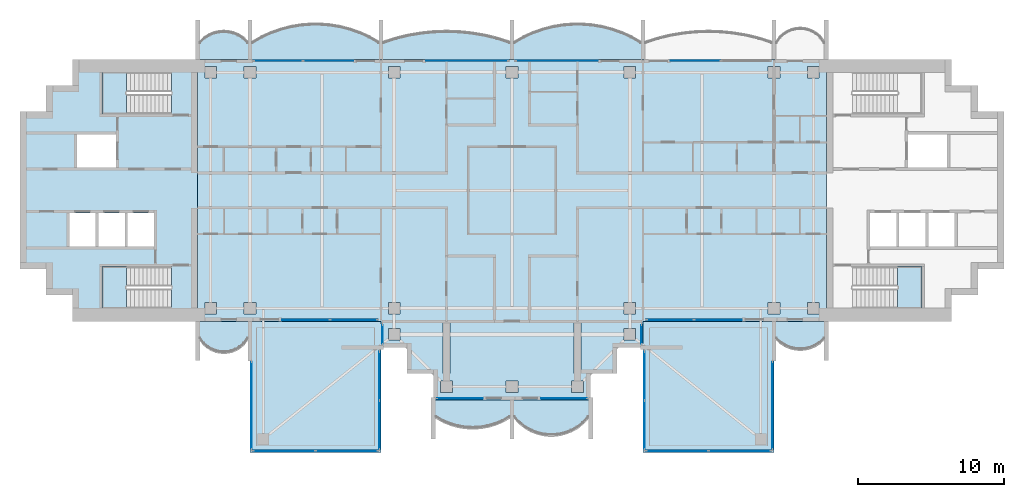
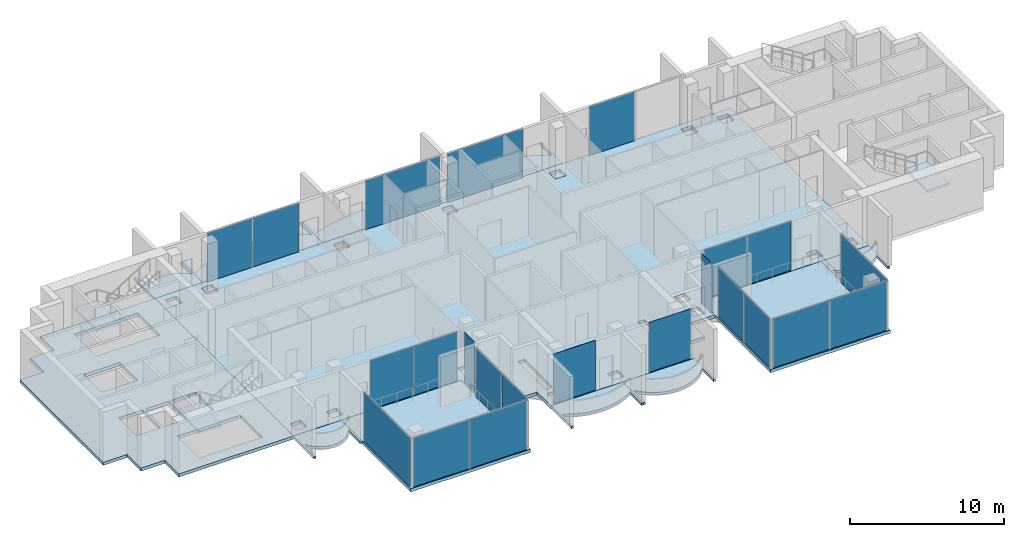
# One storey, part 5 of 16: 23 plates, 15 slabs, 19 elements without a shape of their own.
"""IFC4 building model written with IfcOpenShell, lengths in metres."""

from ifc_helpers import new_model, si_unit, direction, frame, origin, origin_2d, place, context, subcontext, project, spatial, polyline, rectangle, outline, extrude, material, layer, layer_set, type_object, element, aggregate, save


model = new_model("IFC4")

# Units and contexts
model_context = context("Model", 3, precision=1e-05, world=origin(), true_north=direction((0.0, 1.0)))
body_context = subcontext(model_context, "Body", "Model", "MODEL_VIEW")
ifc_project = project(units=[si_unit("LENGTHUNIT", "METRE"), si_unit("AREAUNIT", "SQUARE_METRE"), si_unit("VOLUMEUNIT", "CUBIC_METRE"), si_unit("PLANEANGLEUNIT", "RADIAN"), si_unit("MASSUNIT", "GRAM", prefix="KILO")], contexts=[model_context])

# Site, building, storey
site_placement = place(None, origin())
site = spatial("IfcSite", under=ifc_project, at=site_placement, CompositionType="ELEMENT")
building_placement = place(site_placement, origin())
building = spatial("IfcBuilding", under=site, at=building_placement, Name="Perihelion Cross Residences", CompositionType="ELEMENT")
storey_placement = place(building_placement, frame((0.0, 0.0, 294.60009765625)))
storey = spatial("IfcBuildingStorey", under=building, at=storey_placement, Name="L75", CompositionType="ELEMENT", Elevation=294.60009765625)

# Slabs
ifc_material_1 = material(Name="Concrete C40/50", Category="concrete")
ifc_layer_1 = layer(ifc_material_1, 0.199951171875)
ifc_layer_set_1 = layer_set([ifc_layer_1], Name="Balcony slab 200")
slab_type_1 = type_object("IfcSlabType", Name="Balcony slab 200", PredefinedType="FLOOR", material=ifc_layer_set_1)
slab_1_placement = place(storey_placement, frame((0.0, 0.0, -0.2001953125)))
element("IfcSlab", 1, at=slab_1_placement, inside=storey, type_object=slab_type_1, Name="Slab BK1 L75 north side east bay 1 balcony", PredefinedType="FLOOR", context=body_context, shape_type="SweptSolid", body=[
    extrude(outline(polyline([(9.0, 9.0), (0.0, 9.0), (0.0, 11.699951171875), (0.14990234375, 11.699951171875), (0.14990234375, 10.199951171875), (0.8193359375, 10.57666015625), (1.488525390625, 10.87646484375), (2.15771484375, 11.108154296875), (2.826904296875, 11.27734375), (3.49609375, 11.38818359375), (4.165283203125, 11.443115234375), (4.834716796875, 11.443115234375), (5.50390625, 11.38818359375), (6.173095703125, 11.27734375), (6.84228515625, 11.108154296875), (7.511474609375, 10.87646484375), (8.1806640625, 10.57666015625), (8.85009765625, 10.199951171875), (8.85009765625, 11.699951171875), (9.0, 11.699951171875), (9.0, 9.0)])), origin(), (0.0, 0.0, 1.0), 0.2001953125),
])
slab_2_placement = place(storey_placement, frame((0.0, 0.0, -0.2001953125)))
element("IfcSlab", 2, at=slab_2_placement, inside=storey, type_object=slab_type_1, Name="Slab BK1 L75 north side east bay 2 balcony", PredefinedType="FLOOR", context=body_context, shape_type="SweptSolid", body=[
    extrude(outline(polyline([(0.0, 9.0), (-9.0, 9.0), (-9.0, 11.699951171875), (-8.85009765625, 11.699951171875), (-8.85009765625, 10.199951171875), (-7.97998046875, 10.47509765625), (-7.110107421875, 10.68505859375), (-6.239990234375, 10.8330078125), (-5.3701171875, 10.9208984375), (-4.5, 10.949951171875), (-3.6298828125, 10.9208984375), (-2.760009765625, 10.8330078125), (-1.889892578125, 10.68505859375), (-1.02001953125, 10.47509765625), (-0.14990234375, 10.199951171875), (-0.14990234375, 11.699951171875), (0.0, 11.699951171875), (0.0, 9.0)])), origin(), (0.0, 0.0, 1.0), 0.2001953125),
])
slab_3_placement = place(storey_placement, frame((0.0, 0.0, -0.2001953125)))
element("IfcSlab", 3, at=slab_3_placement, inside=storey, type_object=slab_type_1, Name="Slab BK1 L75 west side north bay 1 balcony", PredefinedType="FLOOR", context=body_context, shape_type="SweptSolid", body=[
    extrude(outline(polyline([(-9.0, 9.0), (-18.0, 9.0), (-18.0, 11.699951171875), (-17.85009765625, 11.699951171875), (-17.85009765625, 10.199951171875), (-17.1806640625, 10.57666015625), (-16.511474609375, 10.87646484375), (-15.84228515625, 11.108154296875), (-15.173095703125, 11.27734375), (-14.50390625, 11.38818359375), (-13.834716796875, 11.443115234375), (-13.165283203125, 11.443115234375), (-12.49609375, 11.38818359375), (-11.826904296875, 11.27734375), (-11.15771484375, 11.108154296875), (-10.488525390625, 10.87646484375), (-9.8193359375, 10.57666015625), (-9.14990234375, 10.199951171875), (-9.14990234375, 11.699951171875), (-9.0, 11.699951171875), (-9.0, 9.0)])), origin(), (0.0, 0.0, 1.0), 0.2001953125),
])
slab_4_placement = place(storey_placement, frame((0.0, 0.0, -0.2001953125)))
element("IfcSlab", 4, at=slab_4_placement, inside=storey, type_object=slab_type_1, Name="Slab BK1 L75 west side north bay 2 balcony", PredefinedType="FLOOR", context=body_context, shape_type="SweptSolid", body=[
    extrude(outline(polyline([(-18.0, 9.0), (-21.60009765625, 9.0), (-21.60009765625, 11.699951171875), (-21.449951171875, 11.699951171875), (-21.449951171875, 10.199951171875), (-21.1201171875, 10.507568359375), (-20.7900390625, 10.71337890625), (-20.4599609375, 10.84814453125), (-20.1298828125, 10.925048828125), (-19.800048828125, 10.949951171875), (-19.469970703125, 10.925048828125), (-19.139892578125, 10.84814453125), (-18.81005859375, 10.71337890625), (-18.47998046875, 10.507568359375), (-18.14990234375, 10.199951171875), (-18.14990234375, 11.699951171875), (-18.0, 11.699951171875), (-18.0, 9.0)])), origin(), (0.0, 0.0, 1.0), 0.2001953125),
])
slab_5_placement = place(storey_placement, frame((0.0, 0.0, -0.2001953125)))
element("IfcSlab", 5, at=slab_5_placement, inside=storey, type_object=slab_type_1, Name="Slab BK1 L75 west side south bay 1 balcony", PredefinedType="FLOOR", context=body_context, shape_type="SweptSolid", body=[
    extrude(outline(polyline([(-21.60009765625, -9.0), (-18.0, -9.0), (-18.0, -11.699951171875), (-18.14990234375, -11.699951171875), (-18.14990234375, -10.199951171875), (-18.425048828125, -10.568603515625), (-18.699951171875, -10.806396484375), (-18.97509765625, -10.96875), (-19.25, -11.07568359375), (-19.52490234375, -11.136962890625), (-19.800048828125, -11.156982421875), (-20.074951171875, -11.136962890625), (-20.35009765625, -11.07568359375), (-20.625, -10.96875), (-20.89990234375, -10.806396484375), (-21.175048828125, -10.568603515625), (-21.449951171875, -10.199951171875), (-21.449951171875, -11.699951171875), (-21.60009765625, -11.699951171875), (-21.60009765625, -9.0)])), origin(), (0.0, 0.0, 1.0), 0.2001953125),
])
slab_6_placement = place(storey_placement, frame((0.0, 0.0, -0.2001953125)))
element("IfcSlab", 6, at=slab_6_placement, inside=storey, type_object=slab_type_1, Name="Slab BK1 L75 south tip south bay 1 balcony", PredefinedType="FLOOR", context=body_context, shape_type="SweptSolid", body=[
    extrude(outline(polyline([(-5.39990234375, -14.39990234375), (0.0, -14.39990234375), (0.0, -17.10009765625), (-0.14990234375, -17.10009765625), (-0.14990234375, -15.60009765625), (-0.659912109375, -15.88525390625), (-1.169921875, -16.094482421875), (-1.679931640625, -16.23828125), (-2.18994140625, -16.322265625), (-2.699951171875, -16.35009765625), (-3.2099609375, -16.322265625), (-3.719970703125, -16.23828125), (-4.22998046875, -16.094482421875), (-4.739990234375, -15.88525390625), (-5.25, -15.60009765625), (-5.25, -17.10009765625), (-5.39990234375, -17.10009765625), (-5.39990234375, -14.39990234375)])), origin(), (0.0, 0.0, 1.0), 0.2001953125),
])
slab_7_placement = place(storey_placement, frame((0.0, 0.0, -0.2001953125)))
element("IfcSlab", 7, at=slab_7_placement, inside=storey, type_object=slab_type_1, Name="Slab BK1 L75 south tip south bay 2 balcony", PredefinedType="FLOOR", context=body_context, shape_type="SweptSolid", body=[
    extrude(outline(polyline([(0.0, -14.39990234375), (5.39990234375, -14.39990234375), (5.39990234375, -17.10009765625), (5.25, -17.10009765625), (5.25, -15.60009765625), (4.857666015625, -16.022216796875), (4.46533203125, -16.323974609375), (4.072998046875, -16.543212890625), (3.6806640625, -16.697265625), (3.28857421875, -16.7958984375), (2.896240234375, -16.843994140625), (2.50390625, -16.843994140625), (2.111572265625, -16.7958984375), (1.71923828125, -16.697265625), (1.326904296875, -16.543212890625), (0.9345703125, -16.323974609375), (0.542236328125, -16.022216796875), (0.14990234375, -15.60009765625), (0.14990234375, -17.10009765625), (0.0, -17.10009765625), (0.0, -14.39990234375)])), origin(), (0.0, 0.0, 1.0), 0.2001953125),
])
slab_8_placement = place(storey_placement, frame((0.0, 0.0, -0.2001953125)))
element("IfcSlab", 8, at=slab_8_placement, inside=storey, type_object=slab_type_1, Name="Slab BK1 L75 east side south bay 2 balcony", PredefinedType="FLOOR", context=body_context, shape_type="SweptSolid", body=[
    extrude(outline(polyline([(18.0, -9.0), (21.60009765625, -9.0), (21.60009765625, -11.699951171875), (21.449951171875, -11.699951171875), (21.449951171875, -10.199951171875), (21.1201171875, -10.507568359375), (20.7900390625, -10.71337890625), (20.4599609375, -10.84814453125), (20.1298828125, -10.925048828125), (19.800048828125, -10.949951171875), (19.469970703125, -10.925048828125), (19.139892578125, -10.84814453125), (18.81005859375, -10.71337890625), (18.47998046875, -10.507568359375), (18.14990234375, -10.199951171875), (18.14990234375, -11.699951171875), (18.0, -11.699951171875), (18.0, -9.0)])), origin(), (0.0, 0.0, 1.0), 0.2001953125),
])

# Curtain wall, plate
ifc_material_2 = material(Name="Bronze anodised aluminium, tinted glazing", Category="aluminium")
curtain_wall_type_1 = type_object("IfcCurtainWallType", Name="CW1", PredefinedType="NOTDEFINED", material=ifc_material_2)
curtain_wall_1_placement = place(storey_placement, origin())
curtain_wall_1 = element("IfcCurtainWall", 9, at=curtain_wall_1_placement, inside=storey, type_object=curtain_wall_type_1, Name="Curtain wall CW1 L75 east side north bay 2", PredefinedType="NOTDEFINED")
ifc_material_3 = material(Name="Tinted laminated glass", Category="glass")
ifc_layer_2 = layer(ifc_material_3, 0.028076171875)
ifc_layer_set_2 = layer_set([ifc_layer_2], Name="CW1 panel")
plate_type_1 = type_object("IfcPlateType", Name="CW1 panel", PredefinedType="CURTAIN_PANEL", material=ifc_layer_set_2)
plate_1_placement = place(storey_placement, frame((12.610107421875, 8.89990234375, 0.0), z_axis=(0.0, 0.0, 1.0), x_axis=(-1.0, 0.0, 0.0)))
plate_1 = element("IfcPlate", 10, at=plate_1_placement, type_object=plate_type_1, Name="CW1 panel 2", PredefinedType="CURTAIN_PANEL", context=body_context, shape_type="SweptSolid", body=[
    extrude(rectangle(XDim=3.419921875, YDim=0.028076171875, at=origin_2d()), origin(), (0.0, 0.0, 1.0), 3.889892578125),
])
aggregate(curtain_wall_1, [plate_1])

curtain_wall_2_placement = place(storey_placement, origin())
curtain_wall_2 = element("IfcCurtainWall", 11, at=curtain_wall_2_placement, inside=storey, type_object=curtain_wall_type_1, Name="Curtain wall CW1 L75 north side east bay 1", PredefinedType="NOTDEFINED")
plate_2_placement = place(storey_placement, frame((3.080078125, 8.89990234375, 0.0), z_axis=(0.0, 0.0, 1.0), x_axis=(-1.0, 0.0, 0.0)))
plate_2 = element("IfcPlate", 12, at=plate_2_placement, type_object=plate_type_1, Name="CW1 panel 1", PredefinedType="CURTAIN_PANEL", context=body_context, shape_type="SweptSolid", body=[
    extrude(rectangle(XDim=5.639892578125, YDim=0.028076171875, at=origin_2d()), origin(), (0.0, 0.0, 1.0), 3.889892578125),
])
aggregate(curtain_wall_2, [plate_2])

curtain_wall_3_placement = place(storey_placement, origin())
curtain_wall_3 = element("IfcCurtainWall", 13, at=curtain_wall_3_placement, inside=storey, type_object=curtain_wall_type_1, Name="Curtain wall CW1 L75 north side east bay 2", PredefinedType="NOTDEFINED")
plate_3_placement = place(storey_placement, frame((-3.080078125, 8.89990234375, 0.0), z_axis=(0.0, 0.0, 1.0), x_axis=(-1.0, 0.0, 0.0)))
plate_3 = element("IfcPlate", 14, at=plate_3_placement, type_object=plate_type_1, Name="CW1 panel 1", PredefinedType="CURTAIN_PANEL", context=body_context, shape_type="SweptSolid", body=[
    extrude(rectangle(XDim=5.639892578125, YDim=0.028076171875, at=origin_2d()), origin(), (0.0, 0.0, 1.0), 3.889892578125),
])
aggregate(curtain_wall_3, [plate_3])

# Curtain wall, plates
curtain_wall_4_placement = place(storey_placement, origin())
curtain_wall_4 = element("IfcCurtainWall", 15, at=curtain_wall_4_placement, inside=storey, type_object=curtain_wall_type_1, Name="Curtain wall CW1 L75 west side north bay 1", PredefinedType="NOTDEFINED")
plate_4_placement = place(storey_placement, frame((-12.610107421875, 8.89990234375, 0.0), z_axis=(0.0, 0.0, 1.0), x_axis=(-1.0, 0.0, 0.0)))
plate_4 = element("IfcPlate", 16, at=plate_4_placement, type_object=plate_type_1, Name="CW1 panel 1", PredefinedType="CURTAIN_PANEL", context=body_context, shape_type="SweptSolid", body=[
    extrude(rectangle(XDim=3.419921875, YDim=0.028076171875, at=origin_2d()), origin(), (0.0, 0.0, 1.0), 3.889892578125),
])
plate_5_placement = place(storey_placement, frame((-16.06005859375, 8.89990234375, 0.0), z_axis=(0.0, 0.0, 1.0), x_axis=(-1.0, 0.0, 0.0)))
plate_5 = element("IfcPlate", 17, at=plate_5_placement, type_object=plate_type_1, Name="CW1 panel 2", PredefinedType="CURTAIN_PANEL", context=body_context, shape_type="SweptSolid", body=[
    extrude(rectangle(XDim=3.360107421875, YDim=0.028076171875, at=origin_2d()), origin(), (0.0, 0.0, 1.0), 3.889892578125),
])
aggregate(curtain_wall_4, [plate_4, plate_5])

curtain_wall_5_placement = place(storey_placement, origin())
curtain_wall_5 = element("IfcCurtainWall", 18, at=curtain_wall_5_placement, inside=storey, type_object=curtain_wall_type_1, Name="Curtain wall CW1 L75 west side south bay 2", PredefinedType="NOTDEFINED")
plate_6_placement = place(storey_placement, frame((-14.1650390625, -8.89990234375, 0.0), z_axis=(0.0, 0.0, 1.0), x_axis=(1.0, 0.0, 0.0)))
plate_6 = element("IfcPlate", 19, at=plate_6_placement, type_object=plate_type_1, Name="CW1 panel 1", PredefinedType="CURTAIN_PANEL", context=body_context, shape_type="SweptSolid", body=[
    extrude(rectangle(XDim=3.27001953125, YDim=0.028076171875, at=origin_2d()), origin(), (0.0, 0.0, 1.0), 3.889892578125),
])
plate_7_placement = place(storey_placement, frame((-10.864990234375, -8.89990234375, 0.0), z_axis=(0.0, 0.0, 1.0), x_axis=(1.0, 0.0, 0.0)))
plate_7 = element("IfcPlate", 20, at=plate_7_placement, type_object=plate_type_1, Name="CW1 panel 2", PredefinedType="CURTAIN_PANEL", context=body_context, shape_type="SweptSolid", body=[
    extrude(rectangle(XDim=3.2099609375, YDim=0.028076171875, at=origin_2d()), origin(), (0.0, 0.0, 1.0), 3.889892578125),
])
aggregate(curtain_wall_5, [plate_6, plate_7])

# Curtain wall, plate
curtain_wall_6_placement = place(storey_placement, origin())
curtain_wall_6 = element("IfcCurtainWall", 21, at=curtain_wall_6_placement, inside=storey, type_object=curtain_wall_type_1, Name="Curtain wall CW1 L75 south side west bay 1", PredefinedType="NOTDEFINED")
plate_8_placement = place(storey_placement, frame((-8.89990234375, -9.89990234375, 0.0), z_axis=(0.0, 0.0, 1.0), x_axis=(0.0, -1.0, 0.0)))
plate_8 = element("IfcPlate", 22, at=plate_8_placement, type_object=plate_type_1, Name="CW1 panel 1", PredefinedType="CURTAIN_PANEL", context=body_context, shape_type="SweptSolid", body=[
    extrude(rectangle(XDim=1.280029296875, YDim=0.028076171875, at=origin_2d()), origin(), (0.0, 0.0, 1.0), 3.949951171875),
])
aggregate(curtain_wall_6, [plate_8])

curtain_wall_7_placement = place(storey_placement, origin())
curtain_wall_7 = element("IfcCurtainWall", 23, at=curtain_wall_7_placement, inside=storey, type_object=curtain_wall_type_1, Name="Curtain wall CW1 L75 south tip south bay 1", PredefinedType="NOTDEFINED")
plate_9_placement = place(storey_placement, frame((-3.570068359375, -14.300048828125, 0.0), z_axis=(0.0, 0.0, 1.0), x_axis=(1.0, 0.0, 0.0)))
plate_9 = element("IfcPlate", 24, at=plate_9_placement, type_object=plate_type_1, Name="CW1 panel 1", PredefinedType="CURTAIN_PANEL", context=body_context, shape_type="SweptSolid", body=[
    extrude(rectangle(XDim=3.139892578125, YDim=0.028076171875, at=origin_2d()), origin(), (0.0, 0.0, 1.0), 3.949951171875),
])
aggregate(curtain_wall_7, [plate_9])

curtain_wall_8_placement = place(storey_placement, origin())
curtain_wall_8 = element("IfcCurtainWall", 25, at=curtain_wall_8_placement, inside=storey, type_object=curtain_wall_type_1, Name="Curtain wall CW1 L75 south tip south bay 2", PredefinedType="NOTDEFINED")
plate_10_placement = place(storey_placement, frame((3.570068359375, -14.300048828125, 0.0), z_axis=(0.0, 0.0, 1.0), x_axis=(1.0, 0.0, 0.0)))
plate_10 = element("IfcPlate", 26, at=plate_10_placement, type_object=plate_type_1, Name="CW1 panel 1", PredefinedType="CURTAIN_PANEL", context=body_context, shape_type="SweptSolid", body=[
    extrude(rectangle(XDim=3.139892578125, YDim=0.028076171875, at=origin_2d()), origin(), (0.0, 0.0, 1.0), 3.949951171875),
])
aggregate(curtain_wall_8, [plate_10])

curtain_wall_9_placement = place(storey_placement, origin())
curtain_wall_9 = element("IfcCurtainWall", 27, at=curtain_wall_9_placement, inside=storey, type_object=curtain_wall_type_1, Name="Curtain wall CW1 L75 south side east bay 1", PredefinedType="NOTDEFINED")
plate_11_placement = place(storey_placement, frame((8.89990234375, -9.89990234375, 0.0), z_axis=(0.0, 0.0, 1.0), x_axis=(0.0, 1.0, 0.0)))
plate_11 = element("IfcPlate", 28, at=plate_11_placement, type_object=plate_type_1, Name="CW1 panel 1", PredefinedType="CURTAIN_PANEL", context=body_context, shape_type="SweptSolid", body=[
    extrude(rectangle(XDim=1.280029296875, YDim=0.028076171875, at=origin_2d()), origin(), (0.0, 0.0, 1.0), 3.949951171875),
])
aggregate(curtain_wall_9, [plate_11])

# Curtain wall, plates
curtain_wall_10_placement = place(storey_placement, origin())
curtain_wall_10 = element("IfcCurtainWall", 29, at=curtain_wall_10_placement, inside=storey, type_object=curtain_wall_type_1, Name="Curtain wall CW1 L75 east side south bay 1", PredefinedType="NOTDEFINED")
plate_12_placement = place(storey_placement, frame((10.864990234375, -8.89990234375, 0.0), z_axis=(0.0, 0.0, 1.0), x_axis=(1.0, 0.0, 0.0)))
plate_12 = element("IfcPlate", 30, at=plate_12_placement, type_object=plate_type_1, Name="CW1 panel 1", PredefinedType="CURTAIN_PANEL", context=body_context, shape_type="SweptSolid", body=[
    extrude(rectangle(XDim=3.2099609375, YDim=0.028076171875, at=origin_2d()), origin(), (0.0, 0.0, 1.0), 3.889892578125),
])
plate_13_placement = place(storey_placement, frame((14.1650390625, -8.89990234375, 0.0), z_axis=(0.0, 0.0, 1.0), x_axis=(1.0, 0.0, 0.0)))
plate_13 = element("IfcPlate", 31, at=plate_13_placement, type_object=plate_type_1, Name="CW1 panel 2", PredefinedType="CURTAIN_PANEL", context=body_context, shape_type="SweptSolid", body=[
    extrude(rectangle(XDim=3.27001953125, YDim=0.028076171875, at=origin_2d()), origin(), (0.0, 0.0, 1.0), 3.889892578125),
])
aggregate(curtain_wall_10, [plate_12, plate_13])

# Curtain wall, plate
ifc_material_4 = material(Name="Bronze anodised aluminium, tinted glazing", Category="aluminium")
curtain_wall_type_2 = type_object("IfcCurtainWallType", Name="CW4", PredefinedType="NOTDEFINED", material=ifc_material_4)
curtain_wall_11_placement = place(storey_placement, origin())
curtain_wall_11 = element("IfcCurtainWall", 32, at=curtain_wall_11_placement, inside=storey, type_object=curtain_wall_type_2, Name="Curtain wall CW4 L75 pocket south-east 1 1", PredefinedType="NOTDEFINED")
ifc_material_5 = material(Name="Tinted laminated glass", Category="glass")
ifc_layer_3 = layer(ifc_material_5, 0.030029296875)
ifc_layer_set_3 = layer_set([ifc_layer_3], Name="CW4 panel")
plate_type_2 = type_object("IfcPlateType", Name="CW4 panel", PredefinedType="CURTAIN_PANEL", material=ifc_layer_set_3)
plate_14_placement = place(storey_placement, frame((17.89990234375, -14.784912109375, 0.0), z_axis=(0.0, 0.0, 1.0), x_axis=(0.0, -1.0, 0.0)))
plate_14 = element("IfcPlate", 33, at=plate_14_placement, type_object=plate_type_2, Name="CW4 panel 1", PredefinedType="CURTAIN_PANEL", context=body_context, shape_type="SweptSolid", body=[
    extrude(rectangle(XDim=5.969970703125, YDim=0.030029296875, at=origin_2d()), origin(), (0.0, 0.0, 1.0), 3.889892578125),
])
aggregate(curtain_wall_11, [plate_14])

# Curtain wall, plates
curtain_wall_12_placement = place(storey_placement, origin())
curtain_wall_12 = element("IfcCurtainWall", 34, at=curtain_wall_12_placement, inside=storey, type_object=curtain_wall_type_2, Name="Curtain wall CW4 L75 pocket south-east 1 2", PredefinedType="NOTDEFINED")
plate_15_placement = place(storey_placement, frame((15.64990234375, -17.89990234375, 0.0), z_axis=(0.0, 0.0, 1.0), x_axis=(-1.0, 0.0, 0.0)))
plate_15 = element("IfcPlate", 35, at=plate_15_placement, type_object=plate_type_2, Name="CW4 panel 1", PredefinedType="CURTAIN_PANEL", context=body_context, shape_type="SweptSolid", body=[
    extrude(rectangle(XDim=4.239990234375, YDim=0.030029296875, at=origin_2d()), origin(), (0.0, 0.0, 1.0), 3.889892578125),
])
plate_16_placement = place(storey_placement, frame((11.35009765625, -17.89990234375, 0.0), z_axis=(0.0, 0.0, 1.0), x_axis=(-1.0, 0.0, 0.0)))
plate_16 = element("IfcPlate", 36, at=plate_16_placement, type_object=plate_type_2, Name="CW4 panel 2", PredefinedType="CURTAIN_PANEL", context=body_context, shape_type="SweptSolid", body=[
    extrude(rectangle(XDim=4.239990234375, YDim=0.030029296875, at=origin_2d()), origin(), (0.0, 0.0, 1.0), 3.889892578125),
])
aggregate(curtain_wall_12, [plate_15, plate_16])

curtain_wall_13_placement = place(storey_placement, origin())
curtain_wall_13 = element("IfcCurtainWall", 37, at=curtain_wall_13_placement, inside=storey, type_object=curtain_wall_type_2, Name="Curtain wall CW4 L75 pocket south-east 1 3", PredefinedType="NOTDEFINED")
plate_17_placement = place(storey_placement, frame((9.10009765625, -16.11474609375, 0.0), z_axis=(0.0, 0.0, 1.0), x_axis=(0.0, 1.0, 0.0)))
plate_17 = element("IfcPlate", 38, at=plate_17_placement, type_object=plate_type_2, Name="CW4 panel 1", PredefinedType="CURTAIN_PANEL", context=body_context, shape_type="SweptSolid", body=[
    extrude(rectangle(XDim=3.310546875, YDim=0.030029296875, at=origin_2d()), origin(), (0.0, 0.0, 1.0), 3.889892578125),
])
plate_18_placement = place(storey_placement, frame((9.10009765625, -12.744140625, 0.0), z_axis=(0.0, 0.0, 1.0), x_axis=(0.0, 1.0, 0.0)))
plate_18 = element("IfcPlate", 39, at=plate_18_placement, type_object=plate_type_2, Name="CW4 panel 2", PredefinedType="CURTAIN_PANEL", context=body_context, shape_type="SweptSolid", body=[
    extrude(rectangle(XDim=3.310546875, YDim=0.030029296875, at=origin_2d()), origin(), (0.0, 0.0, 1.0), 3.889892578125),
])
aggregate(curtain_wall_13, [plate_17, plate_18])

curtain_wall_14_placement = place(storey_placement, origin())
curtain_wall_14 = element("IfcCurtainWall", 40, at=curtain_wall_14_placement, inside=storey, type_object=curtain_wall_type_2, Name="Curtain wall CW4 L75 pocket south-west 1 1", PredefinedType="NOTDEFINED")
plate_19_placement = place(storey_placement, frame((-9.10009765625, -12.744140625, 0.0), z_axis=(0.0, 0.0, 1.0), x_axis=(0.0, -1.0, 0.0)))
plate_19 = element("IfcPlate", 41, at=plate_19_placement, type_object=plate_type_2, Name="CW4 panel 1", PredefinedType="CURTAIN_PANEL", context=body_context, shape_type="SweptSolid", body=[
    extrude(rectangle(XDim=3.310546875, YDim=0.030029296875, at=origin_2d()), origin(), (0.0, 0.0, 1.0), 3.889892578125),
])
plate_20_placement = place(storey_placement, frame((-9.10009765625, -16.11474609375, 0.0), z_axis=(0.0, 0.0, 1.0), x_axis=(0.0, -1.0, 0.0)))
plate_20 = element("IfcPlate", 42, at=plate_20_placement, type_object=plate_type_2, Name="CW4 panel 2", PredefinedType="CURTAIN_PANEL", context=body_context, shape_type="SweptSolid", body=[
    extrude(rectangle(XDim=3.310546875, YDim=0.030029296875, at=origin_2d()), origin(), (0.0, 0.0, 1.0), 3.889892578125),
])
aggregate(curtain_wall_14, [plate_19, plate_20])

curtain_wall_15_placement = place(storey_placement, origin())
curtain_wall_15 = element("IfcCurtainWall", 43, at=curtain_wall_15_placement, inside=storey, type_object=curtain_wall_type_2, Name="Curtain wall CW4 L75 pocket south-west 1 2", PredefinedType="NOTDEFINED")
plate_21_placement = place(storey_placement, frame((-11.35009765625, -17.89990234375, 0.0), z_axis=(0.0, 0.0, 1.0), x_axis=(-1.0, 0.0, 0.0)))
plate_21 = element("IfcPlate", 44, at=plate_21_placement, type_object=plate_type_2, Name="CW4 panel 1", PredefinedType="CURTAIN_PANEL", context=body_context, shape_type="SweptSolid", body=[
    extrude(rectangle(XDim=4.239990234375, YDim=0.030029296875, at=origin_2d()), origin(), (0.0, 0.0, 1.0), 3.889892578125),
])
plate_22_placement = place(storey_placement, frame((-15.64990234375, -17.89990234375, 0.0), z_axis=(0.0, 0.0, 1.0), x_axis=(-1.0, 0.0, 0.0)))
plate_22 = element("IfcPlate", 45, at=plate_22_placement, type_object=plate_type_2, Name="CW4 panel 2", PredefinedType="CURTAIN_PANEL", context=body_context, shape_type="SweptSolid", body=[
    extrude(rectangle(XDim=4.239990234375, YDim=0.030029296875, at=origin_2d()), origin(), (0.0, 0.0, 1.0), 3.889892578125),
])
aggregate(curtain_wall_15, [plate_21, plate_22])

# Curtain wall, plate
curtain_wall_16_placement = place(storey_placement, origin())
curtain_wall_16 = element("IfcCurtainWall", 46, at=curtain_wall_16_placement, inside=storey, type_object=curtain_wall_type_2, Name="Curtain wall CW4 L75 pocket south-west 1 3", PredefinedType="NOTDEFINED")
plate_23_placement = place(storey_placement, frame((-17.89990234375, -14.784912109375, 0.0), z_axis=(0.0, 0.0, 1.0), x_axis=(0.0, 1.0, 0.0)))
plate_23 = element("IfcPlate", 47, at=plate_23_placement, type_object=plate_type_2, Name="CW4 panel 1", PredefinedType="CURTAIN_PANEL", context=body_context, shape_type="SweptSolid", body=[
    extrude(rectangle(XDim=5.969970703125, YDim=0.030029296875, at=origin_2d()), origin(), (0.0, 0.0, 1.0), 3.889892578125),
])
aggregate(curtain_wall_16, [plate_23])

# Slab
ifc_material_6 = material(Name="Concrete C40/50", Category="concrete")
ifc_layer_4 = layer(ifc_material_6, 0.25)
ifc_layer_set_4 = layer_set([ifc_layer_4], Name="Core floor slab 250")
slab_type_2 = type_object("IfcSlabType", Name="Core floor slab 250", PredefinedType="FLOOR", material=ifc_layer_set_4)
slab_9_placement = place(storey_placement, frame((0.0, 0.0, -0.25)))
element("IfcSlab", 48, at=slab_9_placement, inside=storey, type_object=slab_type_2, Name="West core floor slab", PredefinedType="FLOOR", context=body_context, shape_type="SweptSolid", body=[
    extrude(outline(polyline([(-30.199951171875, 7.199951171875), (-32.0, 7.199951171875), (-32.0, 5.39990234375), (-33.800048828125, 5.39990234375), (-33.800048828125, -5.39990234375), (-32.0, -5.39990234375), (-32.0, -7.199951171875), (-30.199951171875, -7.199951171875), (-30.199951171875, -9.0), (-21.60009765625, -9.0), (-21.60009765625, 9.0), (-30.199951171875, 9.0), (-30.199951171875, 7.199951171875)]), holes=[polyline([(-28.14990234375, -8.10009765625), (-28.14990234375, -5.25), (-23.405029296875, -5.25), (-23.405029296875, -8.10009765625), (-28.14990234375, -8.10009765625)]), polyline([(-24.60009765625, -1.550048828125), (-24.60009765625, -3.85009765625), (-26.39990234375, -3.85009765625), (-26.39990234375, -1.550048828125), (-24.60009765625, -1.550048828125)]), polyline([(-26.60009765625, -1.550048828125), (-26.60009765625, -3.85009765625), (-28.39990234375, -3.85009765625), (-28.39990234375, -1.550048828125), (-26.60009765625, -1.550048828125)]), polyline([(-28.60009765625, -3.85009765625), (-30.39990234375, -3.85009765625), (-30.39990234375, -1.550048828125), (-28.60009765625, -1.550048828125), (-28.60009765625, -3.85009765625)]), polyline([(-27.199951171875, 3.85009765625), (-27.199951171875, 1.550048828125), (-29.89990234375, 1.550048828125), (-29.89990234375, 3.85009765625), (-27.199951171875, 3.85009765625)]), polyline([(-23.405029296875, 5.25), (-28.14990234375, 5.25), (-28.14990234375, 8.10009765625), (-23.405029296875, 8.10009765625), (-23.405029296875, 5.25)])]), origin(), (0.0, 0.0, 1.0), 0.25),
])

# Stair, slab
ifc_material_7 = material(Name="Concrete C40/50", Category="concrete")
stair_type = type_object("IfcStairType", Name="Exit stair, half-turn", PredefinedType="HALF_TURN_STAIR", material=ifc_material_7)
stair_1_placement = place(storey_placement, origin())
stair_1 = element("IfcStair", 49, at=stair_1_placement, inside=storey, type_object=stair_type, Name="L75 East core exit stair 2", PredefinedType="HALF_TURN_STAIR")
ifc_material_8 = material(Name="Concrete C40/50", Category="concrete")
ifc_layer_5 = layer(ifc_material_8, 0.199951171875)
ifc_layer_set_5 = layer_set([ifc_layer_5], Name="Exit stair landing 200")
slab_type_3 = type_object("IfcSlabType", Name="Exit stair landing 200", PredefinedType="LANDING", material=ifc_layer_set_5)
slab_10_placement = place(storey_placement, frame((0.0, 0.0, 1.89990234375)))
slab_10 = element("IfcSlab", 50, at=slab_10_placement, type_object=slab_type_3, Name="ST-E2 landing 1", PredefinedType="LANDING", context=body_context, shape_type="SweptSolid", body=[
    extrude(outline(polyline([(26.47998046875, -8.10009765625), (28.14990234375, -8.10009765625), (28.14990234375, -5.25), (26.47998046875, -5.25), (26.47998046875, -8.10009765625)])), origin(), (0.0, 0.0, 1.0), 0.199951171875),
])
aggregate(stair_1, [slab_10])

stair_2_placement = place(storey_placement, origin())
stair_2 = element("IfcStair", 51, at=stair_2_placement, inside=storey, type_object=stair_type, Name="L75 West core exit stair 1", PredefinedType="HALF_TURN_STAIR")
slab_11_placement = place(storey_placement, frame((0.0, 0.0, 1.89990234375)))
slab_11 = element("IfcSlab", 52, at=slab_11_placement, type_object=slab_type_3, Name="ST-W1 landing 1", PredefinedType="LANDING", context=body_context, shape_type="SweptSolid", body=[
    extrude(outline(polyline([(-26.47998046875, 8.10009765625), (-28.14990234375, 8.10009765625), (-28.14990234375, 5.25), (-26.47998046875, 5.25), (-26.47998046875, 8.10009765625)])), origin(), (0.0, 0.0, 1.0), 0.199951171875),
])
aggregate(stair_2, [slab_11])

stair_3_placement = place(storey_placement, origin())
stair_3 = element("IfcStair", 53, at=stair_3_placement, inside=storey, type_object=stair_type, Name="L75 West core exit stair 2", PredefinedType="HALF_TURN_STAIR")
slab_12_placement = place(storey_placement, frame((0.0, 0.0, 1.89990234375)))
slab_12 = element("IfcSlab", 54, at=slab_12_placement, type_object=slab_type_3, Name="ST-W2 landing 1", PredefinedType="LANDING", context=body_context, shape_type="SweptSolid", body=[
    extrude(outline(polyline([(-26.47998046875, -5.25), (-28.14990234375, -5.25), (-28.14990234375, -8.10009765625), (-26.47998046875, -8.10009765625), (-26.47998046875, -5.25)])), origin(), (0.0, 0.0, 1.0), 0.199951171875),
])
aggregate(stair_3, [slab_12])

# Slabs
ifc_material_9 = material(Name="Concrete C50/60", Category="concrete")
ifc_layer_6 = layer(ifc_material_9, 0.25)
ifc_layer_set_6 = layer_set([ifc_layer_6], Name="Penthouse floor post-tensioned slab concrete C50/60")
slab_type_4 = type_object("IfcSlabType", Name="Penthouse floor post-tensioned slab concrete C50/60", PredefinedType="FLOOR", material=ifc_layer_set_6)
slab_13_placement = place(storey_placement, frame((0.0, 0.0, -0.25)))
element("IfcSlab", 55, at=slab_13_placement, inside=storey, type_object=slab_type_4, Name="Slab SL11 L75 1 no. 1", PredefinedType="FLOOR", context=body_context, shape_type="SweptSolid", body=[
    extrude(outline(polyline([(-9.0, 9.0), (9.0, 9.0), (21.60009765625, 9.0), (21.60009765625, -9.0), (9.0, -9.0), (9.0, -10.800048828125), (7.199951171875, -10.800048828125), (7.199951171875, -12.60009765625), (5.39990234375, -12.60009765625), (5.39990234375, -14.39990234375), (-5.39990234375, -14.39990234375), (-5.39990234375, -12.60009765625), (-7.199951171875, -12.60009765625), (-7.199951171875, -10.800048828125), (-9.0, -10.800048828125), (-9.0, -9.0), (-21.60009765625, -9.0), (-21.60009765625, 9.0), (-9.0, 9.0)]), holes=[polyline([(-4.10009765625, -13.10009765625), (-4.89990234375, -13.10009765625), (-4.89990234375, -13.89990234375), (-4.10009765625, -13.89990234375), (-4.10009765625, -13.10009765625)]), polyline([(0.39990234375, -13.10009765625), (-0.39990234375, -13.10009765625), (-0.39990234375, -13.89990234375), (0.39990234375, -13.89990234375), (0.39990234375, -13.10009765625)]), polyline([(-4.25, -9.0), (-4.75, -9.0), (-4.75, -12.60009765625), (-4.25, -12.60009765625), (-4.25, -9.0)]), polyline([(-7.699951171875, -10.300048828125), (-7.699951171875, -9.5), (-8.5, -9.5), (-8.5, -10.300048828125), (-7.699951171875, -10.300048828125)]), polyline([(-20.300048828125, -8.5), (-20.300048828125, -7.699951171875), (-21.10009765625, -7.699951171875), (-21.10009765625, -8.5), (-20.300048828125, -8.5)]), polyline([(-17.60009765625, -7.699951171875), (-18.39990234375, -7.699951171875), (-18.39990234375, -8.5), (-17.60009765625, -8.5), (-17.60009765625, -7.699951171875)]), polyline([(-7.699951171875, -8.5), (-7.699951171875, -7.699951171875), (-8.5, -7.699951171875), (-8.5, -8.5), (-7.699951171875, -8.5)]), polyline([(-20.300048828125, 8.5), (-21.10009765625, 8.5), (-21.10009765625, 7.699951171875), (-20.300048828125, 7.699951171875), (-20.300048828125, 8.5)]), polyline([(-17.60009765625, 7.699951171875), (-17.60009765625, 8.5), (-18.39990234375, 8.5), (-18.39990234375, 7.699951171875), (-17.60009765625, 7.699951171875)]), polyline([(-7.699951171875, 7.699951171875), (-7.699951171875, 8.5), (-8.5, 8.5), (-8.5, 7.699951171875), (-7.699951171875, 7.699951171875)]), polyline([(4.89990234375, -13.10009765625), (4.10009765625, -13.10009765625), (4.10009765625, -13.89990234375), (4.89990234375, -13.89990234375), (4.89990234375, -13.10009765625)]), polyline([(4.75, -9.0), (4.25, -9.0), (4.25, -12.60009765625), (4.75, -12.60009765625), (4.75, -9.0)]), polyline([(8.5, -9.5), (7.699951171875, -9.5), (7.699951171875, -10.300048828125), (8.5, -10.300048828125), (8.5, -9.5)]), polyline([(8.5, -8.5), (8.5, -7.699951171875), (7.699951171875, -7.699951171875), (7.699951171875, -8.5), (8.5, -8.5)]), polyline([(18.39990234375, -8.5), (18.39990234375, -7.699951171875), (17.60009765625, -7.699951171875), (17.60009765625, -8.5), (18.39990234375, -8.5)]), polyline([(21.10009765625, -7.699951171875), (20.300048828125, -7.699951171875), (20.300048828125, -8.5), (21.10009765625, -8.5), (21.10009765625, -7.699951171875)]), polyline([(0.39990234375, 7.699951171875), (0.39990234375, 8.5), (-0.39990234375, 8.5), (-0.39990234375, 7.699951171875), (0.39990234375, 7.699951171875)]), polyline([(8.5, 8.5), (7.699951171875, 8.5), (7.699951171875, 7.699951171875), (8.5, 7.699951171875), (8.5, 8.5)]), polyline([(18.39990234375, 7.699951171875), (18.39990234375, 8.5), (17.60009765625, 8.5), (17.60009765625, 7.699951171875), (18.39990234375, 7.699951171875)]), polyline([(21.10009765625, 7.699951171875), (21.10009765625, 8.5), (20.300048828125, 8.5), (20.300048828125, 7.699951171875), (21.10009765625, 7.699951171875)])]), origin(), (0.0, 0.0, 1.0), 0.25),
])
ifc_material_10 = material(Name="Concrete C40/50", Category="concrete")
ifc_layer_7 = layer(ifc_material_10, 0.25)
ifc_layer_set_7 = layer_set([ifc_layer_7], Name="Winter garden slab")
slab_type_5 = type_object("IfcSlabType", Name="Winter garden slab", PredefinedType="FLOOR", material=ifc_layer_set_7)
slab_14_placement = place(storey_placement, frame((0.0, 0.0, -0.25)))
element("IfcSlab", 56, at=slab_14_placement, inside=storey, type_object=slab_type_5, Name="Slab BK3 L75 pocket south-west", PredefinedType="FLOOR", context=body_context, shape_type="SweptSolid", body=[
    extrude(outline(polyline([(-9.0, -18.0), (-9.0, -9.0), (-18.0, -9.0), (-18.0, -18.0), (-9.0, -18.0)])), origin(), (0.0, 0.0, 1.0), 0.25),
])
slab_15_placement = place(storey_placement, frame((0.0, 0.0, -0.25)))
element("IfcSlab", 57, at=slab_15_placement, inside=storey, type_object=slab_type_5, Name="Slab BK3 L75 pocket south-east", PredefinedType="FLOOR", context=body_context, shape_type="SweptSolid", body=[
    extrude(outline(polyline([(18.0, -18.0), (18.0, -9.0), (9.0, -9.0), (9.0, -18.0), (18.0, -18.0)])), origin(), (0.0, 0.0, 1.0), 0.25),
])

save(model, "model.ifc")
